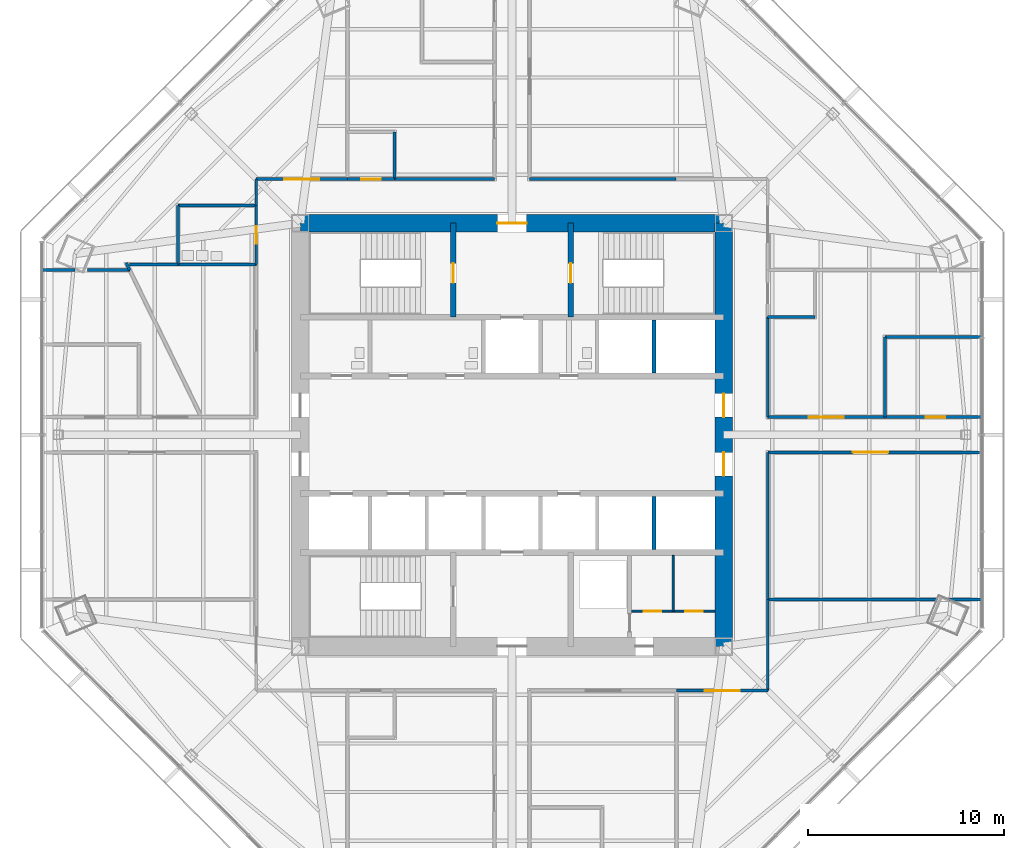
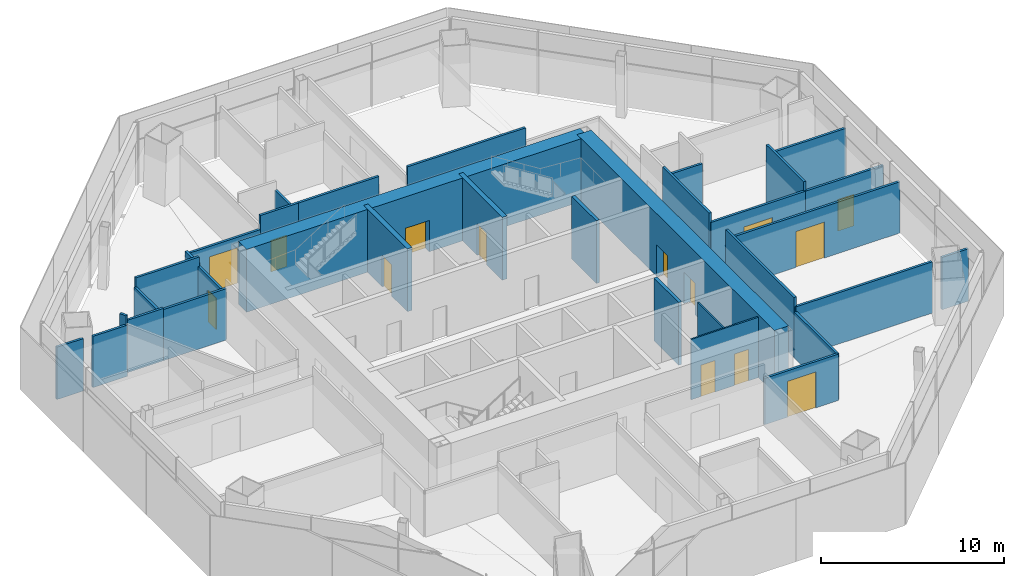
# One storey, part 10 of 14: 34 walls, 14 doors, 14 openings.
"""IFC4 building model written with IfcOpenShell, lengths in metres."""

import ifcopenshell
import ifcopenshell.guid

model = None  # the IFC model being written
_history = None  # IfcOwnerHistory: only IFC2X3 demands one
_inside = {}  # id of a spatial element -> (the spatial element, [elements in it])
_under = {}  # id of a project, library or spatial element -> (it, [spatial elements below it])
_declared = {}  # id of a project -> (the project, [libraries it declares])
_typed = {}  # id of a type object -> (the type object, [elements of that type])
_made_of = {}  # id of a material, layer set ... -> (it, [elements and type objects made of it])


def new_model(schema):
    """Start an empty IFC model of exactly this schema.

    Asked for "IFC4X3", IfcOpenShell would pick the latest addendum, in which some entities
    have other attributes; the version numbers below select the first issue.
    IFC2X3 requires an IfcOwnerHistory on every rooted entity: one is made here for all.
    """
    global model, _history
    if schema == "IFC4X3":
        model = ifcopenshell.file(schema_version=(4, 3, 0, 0))
    else:
        model = ifcopenshell.file(schema=schema)
    _inside.clear()
    _under.clear()
    _declared.clear()
    _typed.clear()
    _made_of.clear()
    _history = None
    if model.schema == "IFC2X3":
        org = make("IfcOrganization", Name="unknown")
        user = make(
            "IfcPersonAndOrganization",
            ThePerson=make("IfcPerson", FamilyName="unknown"),
            TheOrganization=org,
        )
        app = make(
            "IfcApplication",
            ApplicationDeveloper=org,
            Version="unknown",
            ApplicationFullName="unknown",
            ApplicationIdentifier="unknown",
        )
        _history = make(
            "IfcOwnerHistory",
            OwningUser=user,
            OwningApplication=app,
            ChangeAction="ADDED",
            CreationDate=0,
        )
    return model


def make(cls, **values):
    """One entity of the class cls with the attributes given. An attribute that is None is left unset."""
    return model.create_entity(
        cls, **{name: value for name, value in values.items() if value is not None}
    )


def rooted(cls, **values):
    """An entity with a GlobalId (a new one), such as an element, a storey or a relation."""
    return make(cls, GlobalId=ifcopenshell.guid.new(), OwnerHistory=_history, **values)


def si_unit(unit_type, name, prefix=None):
    """IfcSIUnit, for example si_unit("LENGTHUNIT", "METRE", prefix="MILLI")."""
    return make("IfcSIUnit", UnitType=unit_type, Prefix=prefix, Name=name)


def assignment(units):
    """IfcUnitAssignment: the units of a project."""
    return None if units is None else make("IfcUnitAssignment", Units=units)


def point(xyz):
    """IfcCartesianPoint."""
    return None if xyz is None else make("IfcCartesianPoint", Coordinates=xyz)


def direction(xyz):
    """IfcDirection."""
    return None if xyz is None else make("IfcDirection", DirectionRatios=xyz)


def frame(location, z_axis=None, x_axis=None):
    """IfcAxis2Placement3D, a coordinate frame: its origin and axes. An axis left out is left unset."""
    return make(
        "IfcAxis2Placement3D",
        Location=point(location),
        Axis=direction(z_axis),
        RefDirection=direction(x_axis),
    )


def frame_2d(location, x_axis=None):
    """IfcAxis2Placement2D, a coordinate frame in the plane: its origin and x axis."""
    return make(
        "IfcAxis2Placement2D", Location=point(location), RefDirection=direction(x_axis)
    )


def origin():
    """The frame at (0, 0, 0) with its axes left unset."""
    return frame((0.0, 0.0, 0.0))


def place(relative_to, where):
    """IfcLocalPlacement: puts the frame where relative to a parent placement (None: the world)."""
    return make(
        "IfcLocalPlacement", PlacementRelTo=relative_to, RelativePlacement=where
    )


def context(
    kind, dimensions, precision=None, world=None, true_north=None, identifier=None
):
    """IfcGeometricRepresentationContext, for example the 3D "Model" context."""
    return make(
        "IfcGeometricRepresentationContext",
        ContextIdentifier=identifier,
        ContextType=kind,
        CoordinateSpaceDimension=dimensions,
        Precision=precision,
        WorldCoordinateSystem=world,
        TrueNorth=true_north,
    )


def subcontext(parent, identifier, kind, view, scale=None):
    """IfcGeometricRepresentationSubContext, for example "Body" below "Model"."""
    return make(
        "IfcGeometricRepresentationSubContext",
        ContextIdentifier=identifier,
        ContextType=kind,
        ParentContext=parent,
        TargetScale=scale,
        TargetView=view,
    )


def project(units=None, contexts=None):
    """IfcProject with its units and contexts."""
    return rooted(
        "IfcProject",
        Name="project",
        RepresentationContexts=contexts,
        UnitsInContext=assignment(units),
    )


def spatial(cls, under=None, at=None, **own):
    """A site, building, storey or space (cls), placed at a placement, below another one or the project."""
    s = rooted(cls, ObjectPlacement=at, **own)
    if under is not None:
        _under.setdefault(under.id(), (under, []))[1].append(s)
    return s


def profile(cls, at=None, kind="AREA", **sizes):
    """A parametric profile (cls). Its sizes go by their IFC names, for example OverallWidth=200.0."""
    return make(cls, ProfileType=kind, Position=at, **sizes)


def rectangle(**sizes):
    """IfcRectangleProfileDef."""
    return profile("IfcRectangleProfileDef", **sizes)


def extrude(swept, where, along, depth):
    """IfcExtrudedAreaSolid: the profile swept, set in the frame where, extruded along a direction by depth."""
    return make(
        "IfcExtrudedAreaSolid",
        SweptArea=swept,
        Position=where,
        ExtrudedDirection=direction(along),
        Depth=depth,
    )


def shape(context_of_items, identifier, shape_type, items):
    """IfcShapeRepresentation: the items that make up one representation, for example the "Body"."""
    return make(
        "IfcShapeRepresentation",
        ContextOfItems=context_of_items,
        RepresentationIdentifier=identifier,
        RepresentationType=shape_type,
        Items=items,
    )


def material(Name=None, Category=None):
    """IfcMaterial."""
    return make("IfcMaterial", Name=Name, Category=Category)


def layer(
    of_material, thickness, ventilated=None, Name=None, Category=None, Priority=None
):
    """IfcMaterialLayer: one layer of a wall or slab, of a material (None: an air gap)."""
    return make(
        "IfcMaterialLayer",
        Material=of_material,
        LayerThickness=thickness,
        IsVentilated=ventilated,
        Name=Name,
        Category=Category,
        Priority=Priority,
    )


def layer_set(layers, Name=None):
    """IfcMaterialLayerSet."""
    return make("IfcMaterialLayerSet", MaterialLayers=layers, LayerSetName=Name)


def made_of(thing, what):
    """Note that an element or type object is made of a material, layer set ...; save() writes the relation."""
    if what is not None:
        _made_of.setdefault(what.id(), (what, []))[1].append(thing)
    return thing


def type_object(cls, material=None, **own):
    """A type object (cls), such as IfcWallType, which elements share."""
    return made_of(rooted(cls, **own), material)


def element(
    cls,
    number,
    at=None,
    inside=None,
    cuts=None,
    type_object=None,
    material=None,
    context=None,
    identifier="Body",
    shape_type=None,
    held_by="IfcProductDefinitionShape",
    body=None,
    shapes=None,
    **own,
):
    """One element of the class cls, such as IfcWall. Its Tag is "e" and its number.

    at: its placement. inside: the storey or other place that contains it. cuts: it is an
    opening in that element (IfcRelVoidsElement). A single representation is given by context,
    identifier, shape_type and body (its items); several are given by shapes. held_by: the class
    of the entity that holds the representations. save() writes the other relations.
    """
    e = rooted(cls, Tag="e%d" % number, ObjectPlacement=at, **own)
    if body is not None:
        shapes = [shape(context, identifier, shape_type, body)]
    if shapes is not None:
        e.Representation = make(held_by, Representations=shapes)
    if inside is not None:
        _inside.setdefault(inside.id(), (inside, []))[1].append(e)
    if cuts is not None:
        rooted(
            "IfcRelVoidsElement", RelatingBuildingElement=cuts, RelatedOpeningElement=e
        )
    if type_object is not None:
        _typed.setdefault(type_object.id(), (type_object, []))[1].append(e)
    return made_of(e, material)


def fill(opening, filler):
    """IfcRelFillsElement: the door or window that sits in an opening."""
    return rooted(
        "IfcRelFillsElement",
        RelatingOpeningElement=opening,
        RelatedBuildingElement=filler,
    )


def aggregate(whole, parts):
    """IfcRelAggregates: a whole, such as a stair, and the parts it consists of."""
    return rooted("IfcRelAggregates", RelatingObject=whole, RelatedObjects=parts)


def save(model, path):
    """Write the relations noted so far, then the file.

    IfcRelAggregates (storeys below a building ...), IfcRelContainedInSpatialStructure (elements
    in a storey), IfcRelDefinesByType, IfcRelAssociatesMaterial and IfcRelDeclares: one each for
    every whole, place, type object, material and project.
    """
    for whole, parts in _under.values():
        aggregate(whole, parts)
    for where, things in _inside.values():
        rooted(
            "IfcRelContainedInSpatialStructure",
            RelatedElements=things,
            RelatingStructure=where,
        )
    for kind, things in _typed.values():
        rooted("IfcRelDefinesByType", RelatedObjects=things, RelatingType=kind)
    for what, things in _made_of.values():
        rooted("IfcRelAssociatesMaterial", RelatedObjects=things, RelatingMaterial=what)
    for by, libraries in _declared.values():
        rooted("IfcRelDeclares", RelatingContext=by, RelatedDefinitions=libraries)
    model.write(path)


model = new_model("IFC4")

# Units and contexts
model_context = context("Model", 3, precision=1e-05, world=origin(), true_north=direction((0.0, 1.0)))
body_context = subcontext(model_context, "Body", "Model", "MODEL_VIEW")
ifc_project = project(units=[si_unit("LENGTHUNIT", "METRE"), si_unit("AREAUNIT", "SQUARE_METRE"), si_unit("VOLUMEUNIT", "CUBIC_METRE"), si_unit("PLANEANGLEUNIT", "RADIAN"), si_unit("MASSUNIT", "GRAM", prefix="KILO")], contexts=[model_context])

# Site, building, storey
site_placement = place(None, origin())
site = spatial("IfcSite", under=ifc_project, at=site_placement, CompositionType="ELEMENT")
building_placement = place(site_placement, origin())
building = spatial("IfcBuilding", under=site, at=building_placement, Name="Mashrafa Tower", CompositionType="ELEMENT")
storey_placement = place(building_placement, frame((0.0, 0.0, 142.800048828125)))
storey = spatial("IfcBuildingStorey", under=building, at=storey_placement, Name="L32", CompositionType="ELEMENT", Elevation=142.800048828125)

# Wall, opening, door
ifc_material_1 = material(Name="Concrete C60/75", Category="concrete")
ifc_layer_1 = layer(ifc_material_1, 0.300048828125)
ifc_layer_set_1 = layer_set([ifc_layer_1], Name="Core wall 300 C60/75")
wall_type_1 = type_object("IfcWallType", Name="Core wall 300 C60/75", PredefinedType="SOLIDWALL", material=ifc_layer_set_1)
wall_1_placement = place(storey_placement, frame((-3.0, 6.0, 0.0), z_axis=(0.0, 0.0, 1.0), x_axis=(0.0, 1.0, 0.0)))
wall_1 = element("IfcWall", 1, at=wall_1_placement, inside=storey, type_object=wall_type_1, Name="Core wall CX-NW L32", PredefinedType="SOLIDWALL", context=body_context, shape_type="SweptSolid", body=[
    extrude(rectangle(XDim=4.800048828125, YDim=0.300048828125, at=frame_2d((2.39990234375, 0.0))), origin(), (0.0, 0.0, 1.0), 4.199951171875),
])
opening_1_placement = place(wall_1_placement, frame((1.75, 0.0, 0.0)))
opening_1 = element("IfcOpeningElement", 2, at=opening_1_placement, cuts=wall_1, Name="Opening 32.028", PredefinedType="OPENING", context=body_context, shape_type="SweptSolid", body=[
    extrude(rectangle(XDim=1.0, YDim=2.10009765625, at=frame_2d((0.5, 1.050048828125))), frame((0.0, 0.159912109375, 0.0), z_axis=(0.0, -1.0, 0.0), x_axis=(1.0, 0.0, 0.0)), (0.0, 0.0, 1.0), 0.320068359375),
])
ifc_material_2 = material(Name="Steel door", Category="steel")
door_type_1 = type_object("IfcDoorType", Name="Stair door 1000 x 2100 90 min", OperationType="USERDEFINED", PredefinedType="DOOR", material=ifc_material_2)
door_1_placement = place(opening_1_placement, origin())
door_1 = element("IfcDoor", 3, at=door_1_placement, inside=storey, type_object=door_type_1, Name="Stair S1 door L32", OperationType="SINGLE_SWING_LEFT", OverallHeight=2.10009765625, OverallWidth=1.0, PredefinedType="DOOR", context=body_context, shape_type="SweptSolid", body=[
    extrude(rectangle(XDim=1.0, YDim=2.10009765625, at=frame_2d((0.5, 1.050048828125))), frame((0.0, 0.02490234375, 0.0), z_axis=(0.0, -1.0, 0.0), x_axis=(1.0, 0.0, 0.0)), (0.0, 0.0, 1.0), 0.050048828125),
])
fill(opening_1, door_1)

wall_2_placement = place(storey_placement, frame((3.0, 6.0, 0.0), z_axis=(0.0, 0.0, 1.0), x_axis=(0.0, 1.0, 0.0)))
wall_2 = element("IfcWall", 4, at=wall_2_placement, inside=storey, type_object=wall_type_1, Name="Core wall CX-NE L32", PredefinedType="SOLIDWALL", context=body_context, shape_type="SweptSolid", body=[
    extrude(rectangle(XDim=4.800048828125, YDim=0.300048828125, at=frame_2d((2.39990234375, 0.0))), origin(), (0.0, 0.0, 1.0), 4.199951171875),
])
opening_2_placement = place(wall_2_placement, frame((1.75, 0.0, 0.0)))
opening_2 = element("IfcOpeningElement", 5, at=opening_2_placement, cuts=wall_2, Name="Opening 32.029", PredefinedType="OPENING", context=body_context, shape_type="SweptSolid", body=[
    extrude(rectangle(XDim=1.0, YDim=2.10009765625, at=frame_2d((0.5, 1.050048828125))), frame((0.0, 0.159912109375, 0.0), z_axis=(0.0, -1.0, 0.0), x_axis=(1.0, 0.0, 0.0)), (0.0, 0.0, 1.0), 0.320068359375),
])
door_2_placement = place(opening_2_placement, frame((1.0, 0.0, 0.0), z_axis=(0.0, 0.0, 1.0), x_axis=(-1.0, 0.0, 0.0)))
door_2 = element("IfcDoor", 6, at=door_2_placement, inside=storey, type_object=door_type_1, Name="Stair S2 door L32", OperationType="SINGLE_SWING_RIGHT", OverallHeight=2.10009765625, OverallWidth=1.0, PredefinedType="DOOR", context=body_context, shape_type="SweptSolid", body=[
    extrude(rectangle(XDim=1.0, YDim=2.10009765625, at=frame_2d((0.5, 1.050048828125))), frame((0.0, 0.02490234375, 0.0), z_axis=(0.0, -1.0, 0.0), x_axis=(1.0, 0.0, 0.0)), (0.0, 0.0, 1.0), 0.050048828125),
])
fill(opening_2, door_2)

# Wall, openings, doors
ifc_material_3 = material(Name="Concrete C60/75", Category="concrete")
ifc_layer_2 = layer(ifc_material_3, 0.89990234375)
ifc_layer_set_2 = layer_set([ifc_layer_2], Name="Core wall 900 C60/75")
wall_type_2 = type_object("IfcWallType", Name="Core wall 900 C60/75", PredefinedType="SOLIDWALL", material=ifc_layer_set_2)
wall_3_placement = place(storey_placement, frame((10.800048828125, -10.800048828125, 0.0), z_axis=(0.0, 0.0, 1.0), x_axis=(0.0, 1.0, 0.0)))
wall_3 = element("IfcWall", 7, at=wall_3_placement, inside=storey, type_object=wall_type_2, Name="Core wall CW-E L32", PredefinedType="SOLIDWALL", context=body_context, shape_type="SweptSolid", body=[
    extrude(rectangle(XDim=21.60009765625, YDim=0.89990234375, at=frame_2d((10.800048828125, 0.0))), origin(), (0.0, 0.0, 1.0), 4.199951171875),
])
opening_3_placement = place(wall_3_placement, frame((11.699951171875, 0.0, 0.0)))
opening_3 = element("IfcOpeningElement", 8, at=opening_3_placement, cuts=wall_3, Name="Opening 32.022", PredefinedType="OPENING", context=body_context, shape_type="SweptSolid", body=[
    extrude(rectangle(XDim=1.199951171875, YDim=2.10009765625, at=frame_2d((0.60009765625, 1.050048828125))), frame((0.0, 0.4599609375, 0.0), z_axis=(0.0, -1.0, 0.0), x_axis=(1.0, 0.0, 0.0)), (0.0, 0.0, 1.0), 0.919921875),
])
opening_4_placement = place(wall_3_placement, frame((8.699951171875, 0.0, 0.0)))
opening_4 = element("IfcOpeningElement", 9, at=opening_4_placement, cuts=wall_3, Name="Opening 32.024", PredefinedType="OPENING", context=body_context, shape_type="SweptSolid", body=[
    extrude(rectangle(XDim=1.199951171875, YDim=2.10009765625, at=frame_2d((0.60009765625, 1.050048828125))), frame((0.0, 0.4599609375, 0.0), z_axis=(0.0, -1.0, 0.0), x_axis=(1.0, 0.0, 0.0)), (0.0, 0.0, 1.0), 0.919921875),
])
ifc_material_4 = material(Name="Steel door", Category="steel")
door_type_2 = type_object("IfcDoorType", Name="Lift hall door 1200 x 2100 90 min", OperationType="USERDEFINED", PredefinedType="DOOR", material=ifc_material_4)
door_3_placement = place(opening_3_placement, frame((1.199951171875, 0.0, 0.0), z_axis=(0.0, 0.0, 1.0), x_axis=(-1.0, 0.0, 0.0)))
door_3 = element("IfcDoor", 10, at=door_3_placement, inside=storey, type_object=door_type_2, Name="Lift hall door east L32", OperationType="SINGLE_SWING_LEFT", OverallHeight=2.10009765625, OverallWidth=1.199951171875, PredefinedType="DOOR", context=body_context, shape_type="SweptSolid", body=[
    extrude(rectangle(XDim=1.199951171875, YDim=2.10009765625, at=frame_2d((0.60009765625, 1.050048828125))), frame((0.0, 0.02490234375, 0.0), z_axis=(0.0, -1.0, 0.0), x_axis=(1.0, 0.0, 0.0)), (0.0, 0.0, 1.0), 0.050048828125),
])
fill(opening_3, door_3)
door_4_placement = place(opening_4_placement, frame((1.199951171875, 0.0, 0.0), z_axis=(0.0, 0.0, 1.0), x_axis=(-1.0, 0.0, 0.0)))
door_4 = element("IfcDoor", 11, at=door_4_placement, inside=storey, type_object=door_type_2, Name="Lift hall door east L32", OperationType="SINGLE_SWING_RIGHT", OverallHeight=2.10009765625, OverallWidth=1.199951171875, PredefinedType="DOOR", context=body_context, shape_type="SweptSolid", body=[
    extrude(rectangle(XDim=1.199951171875, YDim=2.10009765625, at=frame_2d((0.60009765625, 1.050048828125))), frame((0.0, 0.02490234375, 0.0), z_axis=(0.0, -1.0, 0.0), x_axis=(1.0, 0.0, 0.0)), (0.0, 0.0, 1.0), 0.050048828125),
])
fill(opening_4, door_4)

# Wall, opening, door
wall_4_placement = place(storey_placement, frame((10.800048828125, 10.800048828125, 0.0), z_axis=(0.0, 0.0, 1.0), x_axis=(-1.0, 0.0, 0.0)))
wall_4 = element("IfcWall", 12, at=wall_4_placement, inside=storey, type_object=wall_type_2, Name="Core wall CW-N L32", PredefinedType="SOLIDWALL", context=body_context, shape_type="SweptSolid", body=[
    extrude(rectangle(XDim=21.60009765625, YDim=0.89990234375, at=frame_2d((10.800048828125, 0.0))), origin(), (0.0, 0.0, 1.0), 4.199951171875),
])
opening_5_placement = place(wall_4_placement, frame((10.050048828125, 0.0, 0.0)))
opening_5 = element("IfcOpeningElement", 13, at=opening_5_placement, cuts=wall_4, Name="Opening 32.026", PredefinedType="OPENING", context=body_context, shape_type="SweptSolid", body=[
    extrude(rectangle(XDim=1.5, YDim=2.10009765625, at=frame_2d((0.75, 1.050048828125))), frame((0.0, 0.4599609375, 0.0), z_axis=(0.0, -1.0, 0.0), x_axis=(1.0, 0.0, 0.0)), (0.0, 0.0, 1.0), 0.919921875),
])
ifc_material_5 = material(Name="Steel door", Category="steel")
door_type_3 = type_object("IfcDoorType", Name="Lobby door pair 1500 x 2100 90 min", OperationType="DOUBLE_DOOR_SINGLE_SWING", PredefinedType="DOOR", material=ifc_material_5)
door_5_placement = place(opening_5_placement, origin())
door_5 = element("IfcDoor", 14, at=door_5_placement, inside=storey, type_object=door_type_3, Name="Fire-fighting lobby F1 door L32", OperationType="DOUBLE_DOOR_SINGLE_SWING", OverallHeight=2.10009765625, OverallWidth=1.5, PredefinedType="DOOR", context=body_context, shape_type="SweptSolid", body=[
    extrude(rectangle(XDim=1.5, YDim=2.10009765625, at=frame_2d((0.75, 1.050048828125))), frame((0.0, 0.02490234375, 0.0), z_axis=(0.0, -1.0, 0.0), x_axis=(1.0, 0.0, 0.0)), (0.0, 0.0, 1.0), 0.050048828125),
])
fill(opening_5, door_5)

ifc_material_6 = material(Name="Gypsum board on steel studs", Category="steel")
ifc_layer_3 = layer(ifc_material_6, 0.14990234375)
ifc_layer_set_3 = layer_set([ifc_layer_3], Name="Corridor partition 150 1 hr")
wall_type_3 = type_object("IfcWallType", Name="Corridor partition 150 1 hr", PredefinedType="PARTITIONING", material=ifc_layer_set_3)
wall_5_placement = place(storey_placement, frame((-13.050048828125, 11.700927734375, 0.0), z_axis=(0.0, 0.0, 1.0), x_axis=(0.0, -1.0, 0.0)))
wall_5 = element("IfcWall", 15, at=wall_5_placement, inside=storey, type_object=wall_type_3, Name="Corridor wall L32-003", PredefinedType="PARTITIONING", context=body_context, shape_type="SweptSolid", body=[
    extrude(rectangle(XDim=3.001953125, YDim=0.14990234375, at=frame_2d((1.5009765625, 0.0))), origin(), (0.0, 0.0, 1.0), 3.097900390625),
])
opening_6_placement = place(wall_5_placement, frame((1.051025390625, 0.0, 0.0)))
opening_6 = element("IfcOpeningElement", 16, at=opening_6_placement, cuts=wall_5, Name="Opening 32.002", PredefinedType="OPENING", context=body_context, shape_type="SweptSolid", body=[
    extrude(rectangle(XDim=0.89990234375, YDim=2.10009765625, at=frame_2d((0.449951171875, 1.050048828125))), frame((0.0, 0.0849609375, 0.0), z_axis=(0.0, -1.0, 0.0), x_axis=(1.0, 0.0, 0.0)), (0.0, 0.0, 1.0), 0.169921875),
])
ifc_material_7 = material(Name="Timber door", Category="wood")
door_type_4 = type_object("IfcDoorType", Name="Toilet door 900 x 2100", OperationType="USERDEFINED", PredefinedType="DOOR", material=ifc_material_7)
door_6_placement = place(opening_6_placement, frame((0.89990234375, 0.0, 0.0), z_axis=(0.0, 0.0, 1.0), x_axis=(-1.0, 0.0, 0.0)))
door_6 = element("IfcDoor", 17, at=door_6_placement, inside=storey, type_object=door_type_4, Name="Ablution Room L32 door", OperationType="SINGLE_SWING_RIGHT", OverallHeight=2.10009765625, OverallWidth=0.89990234375, PredefinedType="DOOR", context=body_context, shape_type="SweptSolid", body=[
    extrude(rectangle(XDim=0.89990234375, YDim=2.10009765625, at=frame_2d((0.449951171875, 1.050048828125))), frame((0.0, 0.02490234375, 0.0), z_axis=(0.0, -1.0, 0.0), x_axis=(1.0, 0.0, 0.0)), (0.0, 0.0, 1.0), 0.050048828125),
])
fill(opening_6, door_6)

wall_6_placement = place(storey_placement, frame((23.958984375, 0.89990234375, 0.0), z_axis=(0.0, 0.0, 1.0), x_axis=(-1.0, 0.0, 0.0)))
wall_6 = element("IfcWall", 18, at=wall_6_placement, inside=storey, type_object=wall_type_3, Name="Corridor wall L32-004", PredefinedType="PARTITIONING", context=body_context, shape_type="SweptSolid", body=[
    extrude(rectangle(XDim=4.934814453125, YDim=0.14990234375, at=frame_2d((2.46728515625, 0.0))), origin(), (0.0, 0.0, 1.0), 3.425537109375),
])
opening_7_placement = place(wall_6_placement, frame((1.849609375, 0.0, 0.0)))
opening_7 = element("IfcOpeningElement", 19, at=opening_7_placement, cuts=wall_6, Name="Opening 32.003", PredefinedType="OPENING", context=body_context, shape_type="SweptSolid", body=[
    extrude(rectangle(XDim=1.0, YDim=2.10009765625, at=frame_2d((0.5, 1.050048828125))), frame((0.0, 0.0849609375, 0.0), z_axis=(0.0, -1.0, 0.0), x_axis=(1.0, 0.0, 0.0)), (0.0, 0.0, 1.0), 0.169921875),
])
ifc_material_8 = material(Name="Timber door", Category="wood")
door_type_5 = type_object("IfcDoorType", Name="Door 1000 x 2100", OperationType="USERDEFINED", PredefinedType="DOOR", material=ifc_material_8)
door_7_placement = place(opening_7_placement, frame((1.0, 0.0, 0.0), z_axis=(0.0, 0.0, 1.0), x_axis=(-1.0, 0.0, 0.0)))
door_7 = element("IfcDoor", 20, at=door_7_placement, inside=storey, type_object=door_type_5, Name="Meeting Room 32-E door", OperationType="SINGLE_SWING_RIGHT", OverallHeight=2.10009765625, OverallWidth=1.0, PredefinedType="DOOR", context=body_context, shape_type="SweptSolid", body=[
    extrude(rectangle(XDim=1.0, YDim=2.10009765625, at=frame_2d((0.5, 1.050048828125))), frame((0.0, 0.02490234375, 0.0), z_axis=(0.0, -1.0, 0.0), x_axis=(1.0, 0.0, 0.0)), (0.0, 0.0, 1.0), 0.050048828125),
])
fill(opening_7, door_7)

wall_7_placement = place(storey_placement, frame((-5.9990234375, 13.050048828125, 0.0), z_axis=(0.0, 0.0, 1.0), x_axis=(-1.0, 0.0, 0.0)))
wall_7 = element("IfcWall", 21, at=wall_7_placement, inside=storey, type_object=wall_type_3, Name="Corridor wall L32-009", PredefinedType="PARTITIONING", context=body_context, shape_type="SweptSolid", body=[
    extrude(rectangle(XDim=2.40185546875, YDim=0.14990234375, at=frame_2d((1.200927734375, 0.0))), origin(), (0.0, 0.0, 1.0), 4.034912109375),
])
opening_8_placement = place(wall_7_placement, frame((0.700927734375, 0.0, 0.0)))
opening_8 = element("IfcOpeningElement", 22, at=opening_8_placement, cuts=wall_7, Name="Opening 32.008", PredefinedType="OPENING", context=body_context, shape_type="SweptSolid", body=[
    extrude(rectangle(XDim=1.0, YDim=2.10009765625, at=frame_2d((0.5, 1.050048828125))), frame((0.0, 0.0849609375, 0.0), z_axis=(0.0, -1.0, 0.0), x_axis=(1.0, 0.0, 0.0)), (0.0, 0.0, 1.0), 0.169921875),
])
door_8_placement = place(opening_8_placement, frame((1.0, 0.0, 0.0), z_axis=(0.0, 0.0, 1.0), x_axis=(-1.0, 0.0, 0.0)))
door_8 = element("IfcDoor", 23, at=door_8_placement, inside=storey, type_object=door_type_5, Name="Kitchenette 32-N door", OperationType="SINGLE_SWING_RIGHT", OverallHeight=2.10009765625, OverallWidth=1.0, PredefinedType="DOOR", context=body_context, shape_type="SweptSolid", body=[
    extrude(rectangle(XDim=1.0, YDim=2.10009765625, at=frame_2d((0.5, 1.050048828125))), frame((0.0, 0.02490234375, 0.0), z_axis=(0.0, -1.0, 0.0), x_axis=(1.0, 0.0, 0.0)), (0.0, 0.0, 1.0), 0.050048828125),
])
fill(opening_8, door_8)

# Wall
wall_8_placement = place(storey_placement, frame((8.361083984375, 13.050048828125, 0.0), z_axis=(0.0, 0.0, 1.0), x_axis=(-1.0, 0.0, 0.0)))
element("IfcWall", 24, at=wall_8_placement, inside=storey, type_object=wall_type_3, Name="Corridor wall L32-011", PredefinedType="PARTITIONING", context=body_context, shape_type="SweptSolid", body=[
    extrude(rectangle(XDim=7.461181640625, YDim=0.14990234375, at=frame_2d((3.73046875, 0.0))), origin(), (0.0, 0.0, 1.0), 4.034912109375),
])

# Wall, opening, door
wall_9_placement = place(storey_placement, frame((19.026123046875, 0.89990234375, 0.0), z_axis=(0.0, 0.0, 1.0), x_axis=(-1.0, 0.0, 0.0)))
wall_9 = element("IfcWall", 25, at=wall_9_placement, inside=storey, type_object=wall_type_3, Name="Corridor wall L32-013", PredefinedType="PARTITIONING", context=body_context, shape_type="SweptSolid", body=[
    extrude(rectangle(XDim=5.97607421875, YDim=0.14990234375, at=frame_2d((2.988037109375, 0.0))), origin(), (0.0, 0.0, 1.0), 3.425537109375),
])
opening_9_placement = place(wall_9_placement, frame((2.088134765625, 0.0, 0.0)))
opening_9 = element("IfcOpeningElement", 26, at=opening_9_placement, cuts=wall_9, Name="Opening 32.011", PredefinedType="OPENING", context=body_context, shape_type="SweptSolid", body=[
    extrude(rectangle(XDim=1.800048828125, YDim=2.39990234375, at=frame_2d((0.89990234375, 1.199951171875))), frame((0.0, 0.0849609375, 0.0), z_axis=(0.0, -1.0, 0.0), x_axis=(1.0, 0.0, 0.0)), (0.0, 0.0, 1.0), 0.169921875),
])
ifc_material_9 = material(Name="Timber door", Category="wood")
door_type_6 = type_object("IfcDoorType", Name="Door pair 1800 x 2400", OperationType="DOUBLE_DOOR_SINGLE_SWING", PredefinedType="DOOR", material=ifc_material_9)
door_9_placement = place(opening_9_placement, frame((1.800048828125, 0.0, 0.0), z_axis=(0.0, 0.0, 1.0), x_axis=(-1.0, 0.0, 0.0)))
door_9 = element("IfcDoor", 27, at=door_9_placement, inside=storey, type_object=door_type_6, Name="Office Suite 32-NE21 door", OperationType="DOUBLE_DOOR_SINGLE_SWING", OverallHeight=2.39990234375, OverallWidth=1.800048828125, PredefinedType="DOOR", context=body_context, shape_type="SweptSolid", body=[
    extrude(rectangle(XDim=1.800048828125, YDim=2.39990234375, at=frame_2d((0.89990234375, 1.199951171875))), frame((0.0, 0.02490234375, 0.0), z_axis=(0.0, -1.0, 0.0), x_axis=(1.0, 0.0, 0.0)), (0.0, 0.0, 1.0), 0.050048828125),
])
fill(opening_9, door_9)

# Walls
for number, where, z_axis, x_axis, name in (
    (28, (13.050048828125, 0.89990234375, 0.0), (0.0, 0.0, 1.0), (0.0, 1.0, 0.0), "Corridor wall L32-014"),
    (29, (-0.89990234375, 13.050048828125, 0.0), (0.0, 0.0, 1.0), (-1.0, 0.0, 0.0), "Corridor wall L32-018"),
):
    element("IfcWall", number, at=place(storey_placement, frame(where, z_axis=z_axis, x_axis=x_axis)), inside=storey, type_object=wall_type_3, Name=name, PredefinedType="PARTITIONING", context=body_context, shape_type="SweptSolid", body=[
        extrude(rectangle(XDim=5.10107421875, YDim=0.14990234375, at=frame_2d((2.550537109375, 0.0))), origin(), (0.0, 0.0, 1.0), 4.034912109375),
    ])

# Wall, opening, door
wall_10_placement = place(storey_placement, frame((-8.39892578125, 13.050048828125, 0.0), z_axis=(0.0, 0.0, 1.0), x_axis=(-1.0, 0.0, 0.0)))
wall_10 = element("IfcWall", 30, at=wall_10_placement, inside=storey, type_object=wall_type_3, Name="Corridor wall L32-020", PredefinedType="PARTITIONING", context=body_context, shape_type="SweptSolid", body=[
    extrude(rectangle(XDim=4.651123046875, YDim=0.14990234375, at=frame_2d((2.32568359375, 0.0))), origin(), (0.0, 0.0, 1.0), 3.097900390625),
])
opening_10_placement = place(wall_10_placement, frame((1.425537109375, 0.0, 0.0)))
opening_10 = element("IfcOpeningElement", 31, at=opening_10_placement, cuts=wall_10, Name="Opening 32.015", PredefinedType="OPENING", context=body_context, shape_type="SweptSolid", body=[
    extrude(rectangle(XDim=1.800048828125, YDim=2.39990234375, at=frame_2d((0.89990234375, 1.199951171875))), frame((0.0, 0.0849609375, 0.0), z_axis=(0.0, -1.0, 0.0), x_axis=(1.0, 0.0, 0.0)), (0.0, 0.0, 1.0), 0.169921875),
])
door_10_placement = place(opening_10_placement, frame((1.800048828125, 0.0, 0.0), z_axis=(0.0, 0.0, 1.0), x_axis=(-1.0, 0.0, 0.0)))
door_10 = element("IfcDoor", 32, at=door_10_placement, inside=storey, type_object=door_type_6, Name="Office Suite 32-NW22 door", OperationType="DOUBLE_DOOR_SINGLE_SWING", OverallHeight=2.39990234375, OverallWidth=1.800048828125, PredefinedType="DOOR", context=body_context, shape_type="SweptSolid", body=[
    extrude(rectangle(XDim=1.800048828125, YDim=2.39990234375, at=frame_2d((0.89990234375, 1.199951171875))), frame((0.0, 0.02490234375, 0.0), z_axis=(0.0, -1.0, 0.0), x_axis=(1.0, 0.0, 0.0)), (0.0, 0.0, 1.0), 0.050048828125),
])
fill(opening_10, door_10)

# Walls
wall_11_placement = place(storey_placement, frame((-13.050048828125, 13.050048828125, 0.0), z_axis=(0.0, 0.0, 1.0), x_axis=(0.0, -1.0, 0.0)))
element("IfcWall", 33, at=wall_11_placement, inside=storey, type_object=wall_type_3, Name="Corridor wall L32-021", PredefinedType="PARTITIONING", context=body_context, shape_type="SweptSolid", body=[
    extrude(rectangle(XDim=1.35107421875, YDim=0.14990234375, at=frame_2d((0.675537109375, 0.0))), origin(), (0.0, 0.0, 1.0), 3.262939453125),
])
wall_12_placement = place(storey_placement, frame((13.050048828125, -8.40087890625, 0.0), z_axis=(0.0, 0.0, 1.0), x_axis=(0.0, 1.0, 0.0)))
element("IfcWall", 34, at=wall_12_placement, inside=storey, type_object=wall_type_3, Name="Corridor wall L32-030", PredefinedType="PARTITIONING", context=body_context, shape_type="SweptSolid", body=[
    extrude(rectangle(XDim=7.5009765625, YDim=0.14990234375, at=frame_2d((3.75048828125, 0.0))), origin(), (0.0, 0.0, 1.0), 4.034912109375),
])

# Wall, opening, door
wall_13_placement = place(storey_placement, frame((13.050048828125, -0.89990234375, 0.0), z_axis=(0.0, 0.0, 1.0), x_axis=(1.0, 0.0, 0.0)))
wall_13 = element("IfcWall", 35, at=wall_13_placement, inside=storey, type_object=wall_type_3, Name="Corridor wall L32-031", PredefinedType="PARTITIONING", context=body_context, shape_type="SweptSolid", body=[
    extrude(rectangle(XDim=10.908935546875, YDim=0.14990234375, at=frame_2d((5.45458984375, 0.0))), origin(), (0.0, 0.0, 1.0), 3.425537109375),
])
opening_11_placement = place(wall_13_placement, frame((4.337646484375, 0.0, 0.0)))
opening_11 = element("IfcOpeningElement", 36, at=opening_11_placement, cuts=wall_13, Name="Opening 32.020", PredefinedType="OPENING", context=body_context, shape_type="SweptSolid", body=[
    extrude(rectangle(XDim=1.800048828125, YDim=2.39990234375, at=frame_2d((0.89990234375, 1.199951171875))), frame((0.0, 0.0849609375, 0.0), z_axis=(0.0, -1.0, 0.0), x_axis=(1.0, 0.0, 0.0)), (0.0, 0.0, 1.0), 0.169921875),
])
door_11_placement = place(opening_11_placement, frame((1.800048828125, 0.0, 0.0), z_axis=(0.0, 0.0, 1.0), x_axis=(-1.0, 0.0, 0.0)))
door_11 = element("IfcDoor", 37, at=door_11_placement, inside=storey, type_object=door_type_6, Name="Office Suite 32-SE21 door", OperationType="DOUBLE_DOOR_SINGLE_SWING", OverallHeight=2.39990234375, OverallWidth=1.800048828125, PredefinedType="DOOR", context=body_context, shape_type="SweptSolid", body=[
    extrude(rectangle(XDim=1.800048828125, YDim=2.39990234375, at=frame_2d((0.89990234375, 1.199951171875))), frame((0.0, 0.02490234375, 0.0), z_axis=(0.0, -1.0, 0.0), x_axis=(1.0, 0.0, 0.0)), (0.0, 0.0, 1.0), 0.050048828125),
])
fill(opening_11, door_11)

wall_14_placement = place(storey_placement, frame((8.39892578125, -13.050048828125, 0.0), z_axis=(0.0, 0.0, 1.0), x_axis=(1.0, 0.0, 0.0)))
wall_14 = element("IfcWall", 38, at=wall_14_placement, inside=storey, type_object=wall_type_3, Name="Corridor wall L32-032", PredefinedType="PARTITIONING", context=body_context, shape_type="SweptSolid", body=[
    extrude(rectangle(XDim=4.651123046875, YDim=0.14990234375, at=frame_2d((2.32568359375, 0.0))), origin(), (0.0, 0.0, 1.0), 3.097900390625),
])
opening_12_placement = place(wall_14_placement, frame((1.425537109375, 0.0, 0.0)))
opening_12 = element("IfcOpeningElement", 39, at=opening_12_placement, cuts=wall_14, Name="Opening 32.021", PredefinedType="OPENING", context=body_context, shape_type="SweptSolid", body=[
    extrude(rectangle(XDim=1.800048828125, YDim=2.39990234375, at=frame_2d((0.89990234375, 1.199951171875))), frame((0.0, 0.0849609375, 0.0), z_axis=(0.0, -1.0, 0.0), x_axis=(1.0, 0.0, 0.0)), (0.0, 0.0, 1.0), 0.169921875),
])
door_12_placement = place(opening_12_placement, frame((1.800048828125, 0.0, 0.0), z_axis=(0.0, 0.0, 1.0), x_axis=(-1.0, 0.0, 0.0)))
door_12 = element("IfcDoor", 40, at=door_12_placement, inside=storey, type_object=door_type_6, Name="Office Suite 32-SE22 door", OperationType="DOUBLE_DOOR_SINGLE_SWING", OverallHeight=2.39990234375, OverallWidth=1.800048828125, PredefinedType="DOOR", context=body_context, shape_type="SweptSolid", body=[
    extrude(rectangle(XDim=1.800048828125, YDim=2.39990234375, at=frame_2d((0.89990234375, 1.199951171875))), frame((0.0, 0.02490234375, 0.0), z_axis=(0.0, -1.0, 0.0), x_axis=(1.0, 0.0, 0.0)), (0.0, 0.0, 1.0), 0.050048828125),
])
fill(opening_12, door_12)

# Wall
wall_15_placement = place(storey_placement, frame((13.050048828125, -13.050048828125, 0.0), z_axis=(0.0, 0.0, 1.0), x_axis=(0.0, 1.0, 0.0)))
element("IfcWall", 41, at=wall_15_placement, inside=storey, type_object=wall_type_3, Name="Corridor wall L32-033", PredefinedType="PARTITIONING", context=body_context, shape_type="SweptSolid", body=[
    extrude(rectangle(XDim=4.651123046875, YDim=0.14990234375, at=frame_2d((2.32568359375, 0.0))), origin(), (0.0, 0.0, 1.0), 3.097900390625),
])

# Wall, openings, doors
ifc_material_10 = material(Name="Gypsum board on steel studs", Category="steel")
ifc_layer_4 = layer(ifc_material_10, 0.10009765625)
ifc_layer_set_4 = layer_set([ifc_layer_4], Name="Partition 100 1 hr")
wall_type_4 = type_object("IfcWallType", Name="Partition 100 1 hr", PredefinedType="PARTITIONING", material=ifc_layer_set_4)
wall_16_placement = place(storey_placement, frame((6.10009765625, -9.0, 0.0), z_axis=(0.0, 0.0, 1.0), x_axis=(1.0, 0.0, 0.0)))
wall_16 = element("IfcWall", 42, at=wall_16_placement, inside=storey, type_object=wall_type_4, Name="Services lobby partition A L32", PredefinedType="PARTITIONING", context=body_context, shape_type="SweptSolid", body=[
    extrude(rectangle(XDim=4.25, YDim=0.10009765625, at=frame_2d((2.125, 0.0))), origin(), (0.0, 0.0, 1.0), 4.034912109375),
])
opening_13_placement = place(wall_16_placement, frame((0.612548828125, 0.0, 0.0)))
opening_13 = element("IfcOpeningElement", 43, at=opening_13_placement, cuts=wall_16, Name="Opening 32.033", PredefinedType="OPENING", context=body_context, shape_type="SweptSolid", body=[
    extrude(rectangle(XDim=0.89990234375, YDim=2.10009765625, at=frame_2d((0.449951171875, 1.050048828125))), frame((0.0, 0.06005859375, 0.0), z_axis=(0.0, -1.0, 0.0), x_axis=(1.0, 0.0, 0.0)), (0.0, 0.0, 1.0), 0.1201171875),
])
opening_14_placement = place(wall_16_placement, frame((2.737548828125, 0.0, 0.0)))
opening_14 = element("IfcOpeningElement", 44, at=opening_14_placement, cuts=wall_16, Name="Opening 32.034", PredefinedType="OPENING", context=body_context, shape_type="SweptSolid", body=[
    extrude(rectangle(XDim=0.89990234375, YDim=2.10009765625, at=frame_2d((0.449951171875, 1.050048828125))), frame((0.0, 0.06005859375, 0.0), z_axis=(0.0, -1.0, 0.0), x_axis=(1.0, 0.0, 0.0)), (0.0, 0.0, 1.0), 0.1201171875),
])
ifc_material_11 = material(Name="Timber door", Category="wood")
door_type_7 = type_object("IfcDoorType", Name="Store door 900 x 2100", OperationType="USERDEFINED", PredefinedType="DOOR", material=ifc_material_11)
door_13_placement = place(opening_13_placement, origin())
door_13 = element("IfcDoor", 45, at=door_13_placement, inside=storey, type_object=door_type_7, Name="Communications Room L32 door", OperationType="SINGLE_SWING_RIGHT", OverallHeight=2.10009765625, OverallWidth=0.89990234375, PredefinedType="DOOR", context=body_context, shape_type="SweptSolid", body=[
    extrude(rectangle(XDim=0.89990234375, YDim=2.10009765625, at=frame_2d((0.449951171875, 1.050048828125))), frame((0.0, 0.02490234375, 0.0), z_axis=(0.0, -1.0, 0.0), x_axis=(1.0, 0.0, 0.0)), (0.0, 0.0, 1.0), 0.050048828125),
])
fill(opening_13, door_13)
door_14_placement = place(opening_14_placement, origin())
door_14 = element("IfcDoor", 46, at=door_14_placement, inside=storey, type_object=door_type_7, Name="Cleaner's Store L32 door", OperationType="SINGLE_SWING_LEFT", OverallHeight=2.10009765625, OverallWidth=0.89990234375, PredefinedType="DOOR", context=body_context, shape_type="SweptSolid", body=[
    extrude(rectangle(XDim=0.89990234375, YDim=2.10009765625, at=frame_2d((0.449951171875, 1.050048828125))), frame((0.0, 0.02490234375, 0.0), z_axis=(0.0, -1.0, 0.0), x_axis=(1.0, 0.0, 0.0)), (0.0, 0.0, 1.0), 0.050048828125),
])
fill(opening_14, door_14)

# Walls
wall_17_placement = place(storey_placement, frame((8.22509765625, -9.0, 0.0), z_axis=(0.0, 0.0, 1.0), x_axis=(0.0, 1.0, 0.0)))
element("IfcWall", 47, at=wall_17_placement, inside=storey, type_object=wall_type_4, Name="Services lobby partition B L32", PredefinedType="PARTITIONING", context=body_context, shape_type="SweptSolid", body=[
    extrude(rectangle(XDim=2.85009765625, YDim=0.10009765625, at=frame_2d((1.425048828125, 0.0))), origin(), (0.0, 0.0, 1.0), 4.034912109375),
])
ifc_material_12 = material(Name="Gypsum board on steel studs", Category="steel")
ifc_layer_5 = layer(ifc_material_12, 0.14990234375)
ifc_layer_set_5 = layer_set([ifc_layer_5], Name="Partition 150")
wall_type_5 = type_object("IfcWallType", Name="Partition 150", PredefinedType="PARTITIONING", material=ifc_layer_set_5)
wall_18_placement = place(storey_placement, frame((-13.050048828125, 8.699951171875, 0.0), z_axis=(0.0, 0.0, 1.0), x_axis=(-1.0, 0.0, 0.0)))
element("IfcWall", 48, at=wall_18_placement, inside=storey, type_object=wall_type_5, Name="Partition wall L32-034", PredefinedType="PARTITIONING", context=body_context, shape_type="SweptSolid", body=[
    extrude(rectangle(XDim=4.0009765625, YDim=0.14990234375, at=frame_2d((2.00048828125, 0.0))), origin(), (0.0, 0.0, 1.0), 3.425537109375),
])
wall_19_placement = place(storey_placement, frame((-17.049072265625, 8.699951171875, 0.0), z_axis=(0.0, 0.0, 1.0), x_axis=(-1.0, 0.0, 0.0)))
element("IfcWall", 49, at=wall_19_placement, inside=storey, type_object=wall_type_5, Name="Partition wall L32-036", PredefinedType="PARTITIONING", context=body_context, shape_type="SweptSolid", body=[
    extrude(rectangle(XDim=2.48095703125, YDim=0.14990234375, at=frame_2d((1.240478515625, 0.0))), origin(), (0.0, 0.0, 1.0), 3.499267578125),
])
wall_20_placement = place(storey_placement, frame((-19.682861328125, 8.767333984375, 0.0), z_axis=(0.0, 0.0, 1.0), x_axis=(0.438376691605, -0.898791341891, 0.0)))
element("IfcWall", 50, at=wall_20_placement, inside=storey, type_object=wall_type_5, Name="Partition wall L32-037", PredefinedType="PARTITIONING", context=body_context, shape_type="SweptSolid", body=[
    extrude(rectangle(XDim=0.409912109375, YDim=0.14990234375, at=frame_2d((0.205078125, 0.0))), origin(), (0.0, 0.0, 1.0), 4.034912109375),
])
wall_21_placement = place(storey_placement, frame((-13.050048828125, 11.699951171875, 0.0), z_axis=(0.0, 0.0, 1.0), x_axis=(-1.0, 0.0, 0.0)))
element("IfcWall", 51, at=wall_21_placement, inside=storey, type_object=wall_type_5, Name="Partition wall L32-038", PredefinedType="PARTITIONING", context=body_context, shape_type="SweptSolid", body=[
    extrude(rectangle(XDim=4.0, YDim=0.14990234375, at=frame_2d((2.0, 0.0))), origin(), (0.0, 0.0, 1.0), 3.715087890625),
])
wall_22_placement = place(storey_placement, frame((-17.050048828125, 11.699951171875, 0.0), z_axis=(0.0, 0.0, 1.0), x_axis=(0.0, -1.0, 0.0)))
element("IfcWall", 52, at=wall_22_placement, inside=storey, type_object=wall_type_5, Name="Partition wall L32-039", PredefinedType="PARTITIONING", context=body_context, shape_type="SweptSolid", body=[
    extrude(rectangle(XDim=3.0, YDim=0.14990234375, at=frame_2d((1.5, 0.0))), origin(), (0.0, 0.0, 1.0), 3.097900390625),
])
wall_23_placement = place(storey_placement, frame((23.95703125, 5.0, 0.0), z_axis=(0.0, 0.0, 1.0), x_axis=(-1.0, 0.0, 0.0)))
element("IfcWall", 53, at=wall_23_placement, inside=storey, type_object=wall_type_5, Name="Partition wall L32-040", PredefinedType="PARTITIONING", context=body_context, shape_type="SweptSolid", body=[
    extrude(rectangle(XDim=4.931884765625, YDim=0.14990234375, at=frame_2d((2.4658203125, 0.0))), origin(), (0.0, 0.0, 1.0), 3.425537109375),
])
wall_24_placement = place(storey_placement, frame((19.025146484375, 5.0, 0.0), z_axis=(0.0, 0.0, 1.0), x_axis=(0.0, -1.0, 0.0)))
element("IfcWall", 54, at=wall_24_placement, inside=storey, type_object=wall_type_5, Name="Partition wall L32-041", PredefinedType="PARTITIONING", context=body_context, shape_type="SweptSolid", body=[
    extrude(rectangle(XDim=4.10009765625, YDim=0.14990234375, at=frame_2d((2.050048828125, 0.0))), origin(), (0.0, 0.0, 1.0), 4.034912109375),
])
for number, where, z_axis, x_axis, name in (
    (55, (13.050048828125, 6.0, 0.0), (0.0, 0.0, 1.0), (1.0, 0.0, 0.0), "Partition wall L32-048"),
    (56, (-6.0, 13.050048828125, 0.0), (0.0, 0.0, 1.0), (0.0, 1.0, 0.0), "Partition wall L32-051"),
):
    element("IfcWall", number, at=place(storey_placement, frame(where, z_axis=z_axis, x_axis=x_axis)), inside=storey, type_object=wall_type_5, Name=name, PredefinedType="PARTITIONING", context=body_context, shape_type="SweptSolid", body=[
        extrude(rectangle(XDim=2.39990234375, YDim=0.14990234375, at=frame_2d((1.199951171875, 0.0))), origin(), (0.0, 0.0, 1.0), 3.425537109375),
    ])
wall_25_placement = place(storey_placement, frame((-19.503662109375, 8.39990234375, 0.0), z_axis=(0.0, 0.0, 1.0), x_axis=(-1.0, 0.0, 0.0)))
element("IfcWall", 57, at=wall_25_placement, inside=storey, type_object=wall_type_5, Name="Partition wall L32-061", PredefinedType="PARTITIONING", context=body_context, shape_type="SweptSolid", body=[
    extrude(rectangle(XDim=2.16748046875, YDim=0.14990234375, at=frame_2d((1.083740234375, 0.0))), origin(), (0.0, 0.0, 1.0), 3.425537109375),
])
wall_26_placement = place(storey_placement, frame((-22.288818359375, 8.39990234375, 0.0), z_axis=(0.0, 0.0, 1.0), x_axis=(-1.0, 0.0, 0.0)))
element("IfcWall", 58, at=wall_26_placement, inside=storey, type_object=wall_type_5, Name="Partition wall L32-062", PredefinedType="PARTITIONING", context=body_context, shape_type="SweptSolid", body=[
    extrude(rectangle(XDim=1.668212890625, YDim=0.14990234375, at=frame_2d((0.833984375, 0.0))), origin(), (0.0, 0.0, 1.0), 3.499267578125),
])
wall_27_placement = place(storey_placement, frame((13.050048828125, -8.39990234375, 0.0), z_axis=(0.0, 0.0, 1.0), x_axis=(1.0, 0.0, 0.0)))
element("IfcWall", 59, at=wall_27_placement, inside=storey, type_object=wall_type_5, Name="Partition wall L32-069", PredefinedType="PARTITIONING", context=body_context, shape_type="SweptSolid", body=[
    extrude(rectangle(XDim=8.62109375, YDim=0.14990234375, at=frame_2d((4.310546875, 0.0))), origin(), (0.0, 0.0, 1.0), 3.425537109375),
])
wall_28_placement = place(storey_placement, frame((22.288818359375, -8.39990234375, 0.0), z_axis=(0.0, 0.0, 1.0), x_axis=(1.0, 0.0, 0.0)))
element("IfcWall", 60, at=wall_28_placement, inside=storey, type_object=wall_type_5, Name="Partition wall L32-070", PredefinedType="PARTITIONING", context=body_context, shape_type="SweptSolid", body=[
    extrude(rectangle(XDim=1.668212890625, YDim=0.14990234375, at=frame_2d((0.833984375, 0.0))), origin(), (0.0, 0.0, 1.0), 3.499267578125),
])
ifc_material_13 = material(Name="Gypsum shaft wall on steel studs", Category="steel")
ifc_layer_6 = layer(ifc_material_13, 0.199951171875)
ifc_layer_set_6 = layer_set([ifc_layer_6], Name="Shaft divider wall 200 2 hr")
wall_type_6 = type_object("IfcWallType", Name="Shaft divider wall 200 2 hr", PredefinedType="PARTITIONING", material=ifc_layer_set_6)
for number, where, z_axis, x_axis, name in (
    (61, (7.25, 3.14990234375, 0.0), (0.0, 0.0, 1.0), (0.0, 1.0, 0.0), "Shaft divider wall N6 L32"),
    (62, (7.25, -5.85009765625, 0.0), (0.0, 0.0, 1.0), (0.0, 1.0, 0.0), "Shaft divider wall S6 L32"),
):
    element("IfcWall", number, at=place(storey_placement, frame(where, z_axis=z_axis, x_axis=x_axis)), inside=storey, type_object=wall_type_6, Name=name, PredefinedType="PARTITIONING", context=body_context, shape_type="SweptSolid", body=[
        extrude(rectangle(XDim=2.7001953125, YDim=0.199951171875, at=frame_2d((1.35009765625, 0.0))), origin(), (0.0, 0.0, 1.0), 4.199951171875),
    ])

save(model, "model.ifc")
